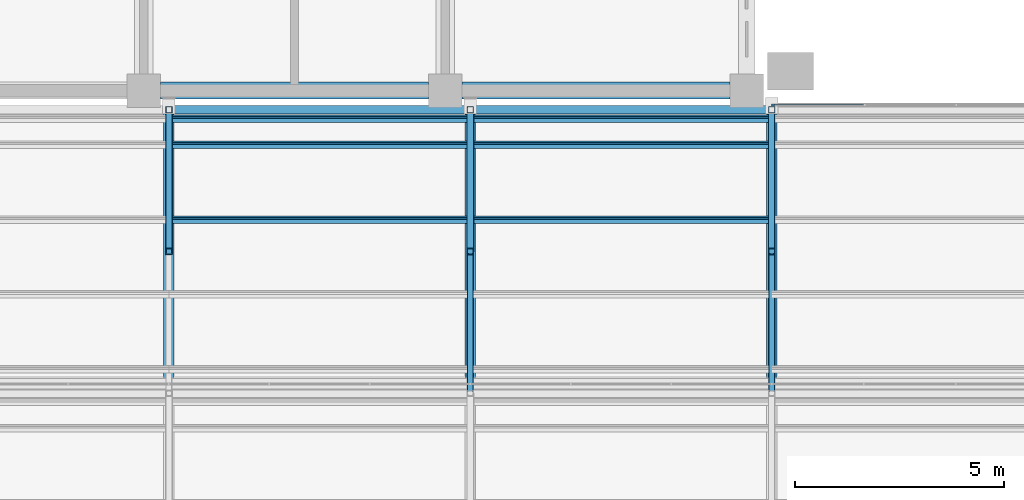
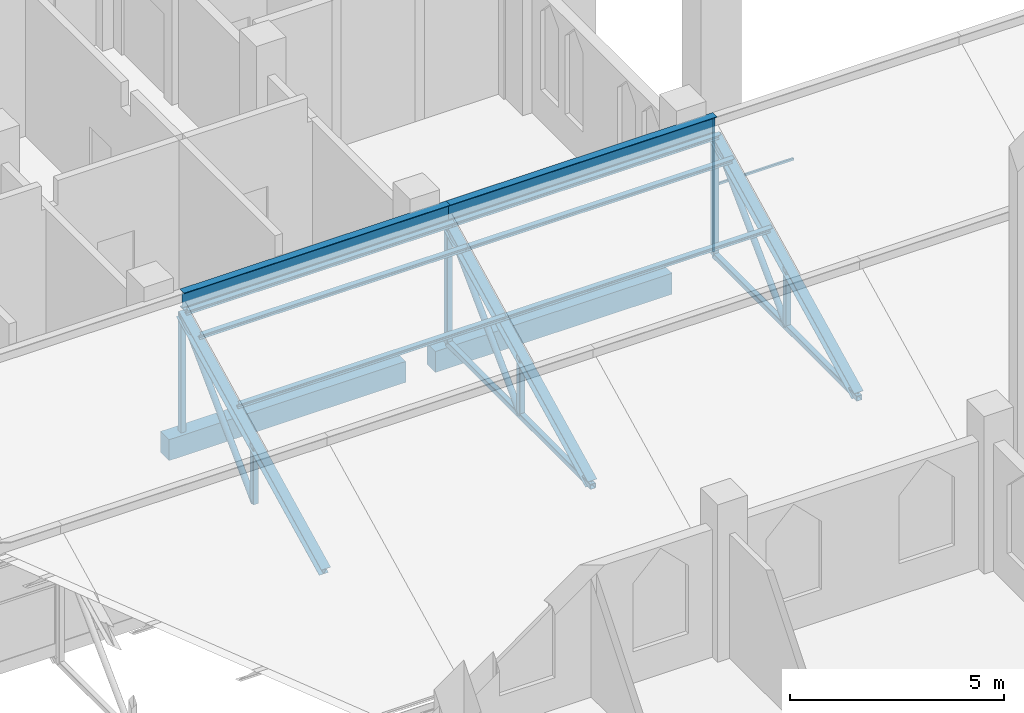
# One storey, part 12 of 29: 24 members, 2 beams, 1 element without a shape of its own.
"""IFC4 building model written with IfcOpenShell, lengths in metres."""

from ifc_helpers import new_model, si_unit, direction, frame, origin, origin_2d, place, context, subcontext, project, spatial, rectangle, hollow_rectangle, hollow_circle, i_section, extrude, material, material_profile, profile_set, type_object, element, aggregate, save


model = new_model("IFC4")

# Units and contexts
model_context = context("Model", 3, precision=1e-05, world=origin(), true_north=direction((0.0, 1.0)))
body_context = subcontext(model_context, "Body", "Model", "MODEL_VIEW")
ifc_project = project(units=[si_unit("LENGTHUNIT", "METRE"), si_unit("AREAUNIT", "SQUARE_METRE"), si_unit("VOLUMEUNIT", "CUBIC_METRE"), si_unit("PLANEANGLEUNIT", "RADIAN"), si_unit("MASSUNIT", "GRAM", prefix="KILO")], contexts=[model_context])

# Site, building, storey
site_placement = place(None, origin())
site = spatial("IfcSite", under=ifc_project, at=site_placement, CompositionType="ELEMENT")
building_placement = place(site_placement, origin())
building = spatial("IfcBuilding", under=site, at=building_placement, Name="Silangan Lancet Faculty of Sciences", CompositionType="ELEMENT")
storey_placement = place(building_placement, frame((0.0, 0.0, 40.800048828125)))
storey = spatial("IfcBuildingStorey", under=building, at=storey_placement, Name="L08", CompositionType="ELEMENT", Elevation=40.800048828125)

# Beams
ifc_material_1 = material(Name="Concrete C40/50", Category="concrete")
ifc_material_profile_1 = material_profile(ifc_material_1, rectangle(XDim=0.39990234375, YDim=0.60009765625, at=origin_2d()), Name="RC 400x600")
ifc_profile_set_1 = profile_set([ifc_material_profile_1], Name="Concrete C40/50")
beam_type = type_object("IfcBeamType", Name="BEAM RC 400x600", PredefinedType="BEAM", material=ifc_profile_set_1)
for number, where, z_axis, x_axis, name in (
    (1, (14.800048828125, 36.0, -0.550048828125), (1.0, 0.0, 0.0), (0.0, 1.0, 0.0), "BM-L08-3F-4F"),
    (2, (22.0, 36.0, -0.550048828125), (1.0, 0.0, 0.0), (0.0, 1.0, 0.0), "BM-L08-4F-5F"),
):
    element("IfcBeam", number, at=place(storey_placement, frame(where, z_axis=z_axis, x_axis=x_axis)), inside=storey, type_object=beam_type, Name=name, PredefinedType="BEAM", context=body_context, shape_type="SweptSolid", body=[
        extrude(rectangle(XDim=0.39990234375, YDim=0.60009765625, at=origin_2d()), origin(), (0.0, 0.0, 1.0), 6.39990234375),
    ])

# Members
ifc_material_2 = material(Name="Steel SS400", Category="steel")
ifc_material_profile_2 = material_profile(ifc_material_2, i_section(OverallWidth=0.199951171875, OverallDepth=0.5, WebThickness=0.010009765625, FlangeThickness=0.01611328125, FilletRadius=0.02001953125, at=origin_2d()), Name="H 500x200x10x16")
ifc_profile_set_2 = profile_set([ifc_material_profile_2], Name="Steel SS400")
member_type_1 = type_object("IfcMemberType", Name="Exposed ridge beam H 500x200x10x16", PredefinedType="MEMBER", material=ifc_profile_set_2)
for number, where, z_axis, x_axis, name in (
    (3, (15.0, 35.5400390625, 3.836669921875), (1.0, 0.0, 0.0), (0.0, 1.0, 0.0), "Exposed ridge beam ATRIUM-2-3"),
    (4, (22.199951171875, 35.5400390625, 3.836669921875), (1.0, 0.0, 0.0), (0.0, 1.0, 0.0), "Exposed ridge beam ATRIUM-2-4"),
):
    element("IfcMember", number, at=place(storey_placement, frame(where, z_axis=z_axis, x_axis=x_axis)), inside=storey, type_object=member_type_1, Name=name, PredefinedType="MEMBER", context=body_context, shape_type="SweptSolid", body=[
        extrude(i_section(OverallWidth=0.199951171875, OverallDepth=0.5, WebThickness=0.010009765625, FlangeThickness=0.01611328125, FilletRadius=0.02001953125, at=origin_2d()), origin(), (0.0, 0.0, 1.0), 7.199951171875),
    ])

# Curtain wall, members
ifc_material_3 = material(Name="Aluminium and laminated glass", Category="aluminium")
curtain_wall_type = type_object("IfcCurtainWallType", Name="North light glazing system", PredefinedType="NOTDEFINED", material=ifc_material_3)
curtain_wall_placement = place(storey_placement, origin())
curtain_wall = element("IfcCurtainWall", 5, at=curtain_wall_placement, inside=storey, type_object=curtain_wall_type, Name="North light glazing ATRIUM-2-5", PredefinedType="NOTDEFINED")
ifc_material_4 = material(Name="Aluminium 6063-T6", Category="aluminium")
ifc_material_profile_3 = material_profile(ifc_material_4, rectangle(XDim=0.06005859375, YDim=0.050048828125, at=origin_2d()), Name="AL 60x50")
ifc_profile_set_3 = profile_set([ifc_material_profile_3], Name="Aluminium 6063-T6")
member_type_2 = type_object("IfcMemberType", Name="North light mullion 60x50", PredefinedType="MULLION", material=ifc_profile_set_3)
member_1_placement = place(storey_placement, frame((29.429931640625, 35.655029296875, 0.099853515625), z_axis=(0.0, 0.0, 1.0), x_axis=(1.0, 0.0, 0.0)))
member_1 = element("IfcMember", 6, at=member_1_placement, type_object=member_type_2, Name="North light mullion ATRIUM-2-5 1", PredefinedType="MULLION", context=body_context, shape_type="SweptSolid", body=[
    extrude(rectangle(XDim=0.06005859375, YDim=0.050048828125, at=origin_2d()), origin(), (0.0, 0.0, 1.0), 3.7880859375),
])
ifc_material_5 = material(Name="Aluminium 6063-T6", Category="aluminium")
ifc_material_profile_4 = material_profile(ifc_material_5, rectangle(XDim=0.050048828125, YDim=0.06005859375, at=origin_2d()), Name="AL 50x60")
ifc_profile_set_4 = profile_set([ifc_material_profile_4], Name="Aluminium 6063-T6")
member_type_3 = type_object("IfcMemberType", Name="North light transom 50x60", PredefinedType="USERDEFINED", material=ifc_profile_set_4)
member_2_placement = place(storey_placement, frame((29.39990234375, 35.655029296875, 1.993896484375), z_axis=(1.0, 0.0, 0.0), x_axis=(0.0, 1.0, 0.0)))
member_2 = element("IfcMember", 7, at=member_2_placement, type_object=member_type_3, Name="North light transom ATRIUM-2-5 1", ObjectType="TRANSOM", PredefinedType="USERDEFINED", context=body_context, shape_type="SweptSolid", body=[
    extrude(rectangle(XDim=0.050048828125, YDim=0.06005859375, at=origin_2d()), origin(), (0.0, 0.0, 1.0), 2.190185546875),
])
aggregate(curtain_wall, [member_1, member_2])

# Members
ifc_material_6 = material(Name="Steel SS400", Category="steel")
ifc_material_profile_5 = material_profile(ifc_material_6, i_section(OverallWidth=0.10009765625, OverallDepth=0.199951171875, WebThickness=0.005615234375, FlangeThickness=0.008056640625, FilletRadius=0.008056640625, at=origin_2d()), Name="H 200x100x5.5x8")
ifc_profile_set_5 = profile_set([ifc_material_profile_5], Name="Steel SS400")
member_type_4 = type_object("IfcMemberType", Name="Sheeting purlin H 200x100x5.5x8", PredefinedType="PURLIN", material=ifc_profile_set_5)
for number, where, z_axis, x_axis, name in (
    (8, (15.0, 32.91796875, 2.42041015625), (1.0, 0.0, 0.0), (0.0, 0.894427192382, 0.447213592736), "Sheeting purlin ATRIUM-2-3 3"),
    (9, (15.0, 34.706787109375, 3.31494140625), (1.0, 0.0, 0.0), (0.0, 0.894427192382, 0.447213592736), "Sheeting purlin ATRIUM-2-3 4"),
    (10, (15.0, 35.33203125, 3.62744140625), (1.0, 0.0, 0.0), (0.0, 0.894427192382, 0.447213592736), "Sheeting purlin ATRIUM-2-3 5"),
    (11, (22.199951171875, 32.91796875, 2.42041015625), (1.0, 0.0, 0.0), (0.0, 0.894427192382, 0.447213592736), "Sheeting purlin ATRIUM-2-4 3"),
    (12, (22.199951171875, 34.706787109375, 3.31494140625), (1.0, 0.0, 0.0), (0.0, 0.894427192382, 0.447213592736), "Sheeting purlin ATRIUM-2-4 4"),
    (13, (22.199951171875, 35.33203125, 3.62744140625), (1.0, 0.0, 0.0), (0.0, 0.894427192382, 0.447213592736), "Sheeting purlin ATRIUM-2-4 5"),
):
    element("IfcMember", number, at=place(storey_placement, frame(where, z_axis=z_axis, x_axis=x_axis)), inside=storey, type_object=member_type_4, Name=name, PredefinedType="PURLIN", context=body_context, shape_type="SweptSolid", body=[
        extrude(i_section(OverallWidth=0.10009765625, OverallDepth=0.199951171875, WebThickness=0.005615234375, FlangeThickness=0.008056640625, FilletRadius=0.008056640625, at=origin_2d()), origin(), (0.0, 0.0, 1.0), 7.199951171875),
    ])
ifc_material_7 = material(Name="Steel STKR400", Category="steel")
ifc_material_profile_6 = material_profile(ifc_material_7, hollow_rectangle(XDim=0.14990234375, YDim=0.14990234375, WallThickness=0.009033203125, InnerFilletRadius=0.009033203125, OuterFilletRadius=0.01806640625, at=origin_2d()), Name="SHS 150x150x9.0")
ifc_profile_set_6 = profile_set([ifc_material_profile_6], Name="Steel STKR400")
member_type_5 = type_object("IfcMemberType", Name="Truss bottom chord SHS 150x150x9.0", PredefinedType="CHORD", material=ifc_profile_set_6)
for number, where, z_axis, x_axis, name in (
    (14, (22.199951171875, 28.77001953125, 0.094970703125), (0.0, 1.0, 0.0), (-1.0, 0.0, 0.0), "Truss 4 bottom chord 2"),
    (15, (29.39990234375, 28.77001953125, 0.094970703125), (0.0, 1.0, 0.0), (-1.0, 0.0, 0.0), "Truss 5 bottom chord 2"),
):
    element("IfcMember", number, at=place(storey_placement, frame(where, z_axis=z_axis, x_axis=x_axis)), inside=storey, type_object=member_type_5, Name=name, PredefinedType="CHORD", context=body_context, shape_type="SweptSolid", body=[
        extrude(hollow_rectangle(XDim=0.14990234375, YDim=0.14990234375, WallThickness=0.009033203125, InnerFilletRadius=0.009033203125, OuterFilletRadius=0.01806640625, at=origin_2d()), origin(), (0.0, 0.0, 1.0), 6.77001953125),
    ])
ifc_material_8 = material(Name="Steel STK400", Category="steel")
ifc_material_profile_7 = material_profile(ifc_material_8, hollow_circle(Radius=0.08251953125, WallThickness=0.0048828125, at=origin_2d()), Name="CHS 165.2x5.0")
ifc_profile_set_7 = profile_set([ifc_material_profile_7], Name="Steel STK400")
member_type_6 = type_object("IfcMemberType", Name="Truss diagonal CHS 165.2x5.0", PredefinedType="BRACE", material=ifc_profile_set_7)
for number, where, z_axis, x_axis, name in (
    (16, (15.0, 32.155029296875, 0.094970703125), (0.0, 0.707106781187, 0.707106781187), (-1.0, 0.0, 0.0), "Truss 3 diagonal 2"),
    (17, (22.199951171875, 32.155029296875, 0.094970703125), (0.0, 0.707106781187, 0.707106781187), (-1.0, 0.0, 0.0), "Truss 4 diagonal 2"),
    (18, (29.39990234375, 32.155029296875, 0.094970703125), (0.0, 0.707106781187, 0.707106781187), (-1.0, 0.0, 0.0), "Truss 5 diagonal 2"),
):
    element("IfcMember", number, at=place(storey_placement, frame(where, z_axis=z_axis, x_axis=x_axis)), inside=storey, type_object=member_type_6, Name=name, PredefinedType="BRACE", context=body_context, shape_type="SweptSolid", body=[
        extrude(hollow_circle(Radius=0.08251953125, WallThickness=0.0048828125, at=origin_2d()), origin(), (0.0, 0.0, 1.0), 4.787109375),
    ])
ifc_material_9 = material(Name="Steel STKR400", Category="steel")
ifc_material_profile_8 = material_profile(ifc_material_9, hollow_rectangle(XDim=0.14990234375, YDim=0.14990234375, WallThickness=0.006103515625, InnerFilletRadius=0.006103515625, OuterFilletRadius=0.011962890625, at=origin_2d()), Name="SHS 150x150x6.0")
ifc_profile_set_8 = profile_set([ifc_material_profile_8], Name="Steel STKR400")
member_type_7 = type_object("IfcMemberType", Name="Truss post SHS 150x150x6.0", PredefinedType="POST", material=ifc_profile_set_8)
member_3_placement = place(storey_placement, frame((15.0, 35.5400390625, 0.094970703125), z_axis=(0.0, 0.0, 1.0), x_axis=(1.0, 0.0, 0.0)))
element("IfcMember", 19, at=member_3_placement, inside=storey, type_object=member_type_7, Name="Truss 3 riser post 2", PredefinedType="POST", context=body_context, shape_type="SweptSolid", body=[
    extrude(hollow_rectangle(XDim=0.14990234375, YDim=0.14990234375, WallThickness=0.006103515625, InnerFilletRadius=0.006103515625, OuterFilletRadius=0.011962890625, at=origin_2d()), origin(), (0.0, 0.0, 1.0), 3.385009765625),
])
member_4_placement = place(storey_placement, frame((15.0, 32.155029296875, 0.094970703125), z_axis=(0.0, 0.0, 1.0), x_axis=(1.0, 0.0, 0.0)))
element("IfcMember", 20, at=member_4_placement, inside=storey, type_object=member_type_7, Name="Truss 3 mid post 2", PredefinedType="POST", context=body_context, shape_type="SweptSolid", body=[
    extrude(hollow_rectangle(XDim=0.14990234375, YDim=0.14990234375, WallThickness=0.006103515625, InnerFilletRadius=0.006103515625, OuterFilletRadius=0.011962890625, at=origin_2d()), origin(), (0.0, 0.0, 1.0), 1.6923828125),
])
member_5_placement = place(storey_placement, frame((22.199951171875, 35.5400390625, 0.094970703125), z_axis=(0.0, 0.0, 1.0), x_axis=(1.0, 0.0, 0.0)))
element("IfcMember", 21, at=member_5_placement, inside=storey, type_object=member_type_7, Name="Truss 4 riser post 2", PredefinedType="POST", context=body_context, shape_type="SweptSolid", body=[
    extrude(hollow_rectangle(XDim=0.14990234375, YDim=0.14990234375, WallThickness=0.006103515625, InnerFilletRadius=0.006103515625, OuterFilletRadius=0.011962890625, at=origin_2d()), origin(), (0.0, 0.0, 1.0), 3.385009765625),
])
member_6_placement = place(storey_placement, frame((22.199951171875, 32.155029296875, 0.094970703125), z_axis=(0.0, 0.0, 1.0), x_axis=(1.0, 0.0, 0.0)))
element("IfcMember", 22, at=member_6_placement, inside=storey, type_object=member_type_7, Name="Truss 4 mid post 2", PredefinedType="POST", context=body_context, shape_type="SweptSolid", body=[
    extrude(hollow_rectangle(XDim=0.14990234375, YDim=0.14990234375, WallThickness=0.006103515625, InnerFilletRadius=0.006103515625, OuterFilletRadius=0.011962890625, at=origin_2d()), origin(), (0.0, 0.0, 1.0), 1.6923828125),
])
member_7_placement = place(storey_placement, frame((29.39990234375, 35.5400390625, 0.094970703125), z_axis=(0.0, 0.0, 1.0), x_axis=(1.0, 0.0, 0.0)))
element("IfcMember", 23, at=member_7_placement, inside=storey, type_object=member_type_7, Name="Truss 5 riser post 2", PredefinedType="POST", context=body_context, shape_type="SweptSolid", body=[
    extrude(hollow_rectangle(XDim=0.14990234375, YDim=0.14990234375, WallThickness=0.006103515625, InnerFilletRadius=0.006103515625, OuterFilletRadius=0.011962890625, at=origin_2d()), origin(), (0.0, 0.0, 1.0), 3.385009765625),
])
member_8_placement = place(storey_placement, frame((29.39990234375, 32.155029296875, 0.094970703125), z_axis=(0.0, 0.0, 1.0), x_axis=(1.0, 0.0, 0.0)))
element("IfcMember", 24, at=member_8_placement, inside=storey, type_object=member_type_7, Name="Truss 5 mid post 2", PredefinedType="POST", context=body_context, shape_type="SweptSolid", body=[
    extrude(hollow_rectangle(XDim=0.14990234375, YDim=0.14990234375, WallThickness=0.006103515625, InnerFilletRadius=0.006103515625, OuterFilletRadius=0.011962890625, at=origin_2d()), origin(), (0.0, 0.0, 1.0), 1.6923828125),
])
ifc_material_10 = material(Name="Steel SS400", Category="steel")
ifc_material_profile_9 = material_profile(ifc_material_10, i_section(OverallWidth=0.25, OverallDepth=0.25, WebThickness=0.009033203125, FlangeThickness=0.013916015625, FilletRadius=0.01611328125, at=origin_2d()), Name="H 250x250x9x14")
ifc_profile_set_9 = profile_set([ifc_material_profile_9], Name="Steel SS400")
member_type_8 = type_object("IfcMemberType", Name="Truss top chord H 250x250x9x14", PredefinedType="CHORD", material=ifc_profile_set_9)
for number, where, z_axis, x_axis, name in (
    (25, (15.0, 28.8505859375, 0.13525390625), (0.0, 0.894427191, 0.4472135955), (-1.0, 0.0, 0.0), "Truss 3 top chord 2"),
    (26, (22.199951171875, 28.8505859375, 0.13525390625), (0.0, 0.894427191, 0.4472135955), (-1.0, 0.0, 0.0), "Truss 4 top chord 2"),
    (27, (29.39990234375, 28.8505859375, 0.13525390625), (0.0, 0.894427191, 0.4472135955), (-1.0, 0.0, 0.0), "Truss 5 top chord 2"),
):
    element("IfcMember", number, at=place(storey_placement, frame(where, z_axis=z_axis, x_axis=x_axis)), inside=storey, type_object=member_type_8, Name=name, PredefinedType="CHORD", context=body_context, shape_type="SweptSolid", body=[
        extrude(i_section(OverallWidth=0.25, OverallDepth=0.25, WebThickness=0.009033203125, FlangeThickness=0.013916015625, FilletRadius=0.01611328125, at=origin_2d()), origin(), (0.0, 0.0, 1.0), 7.47900390625),
    ])

save(model, "model.ifc")
